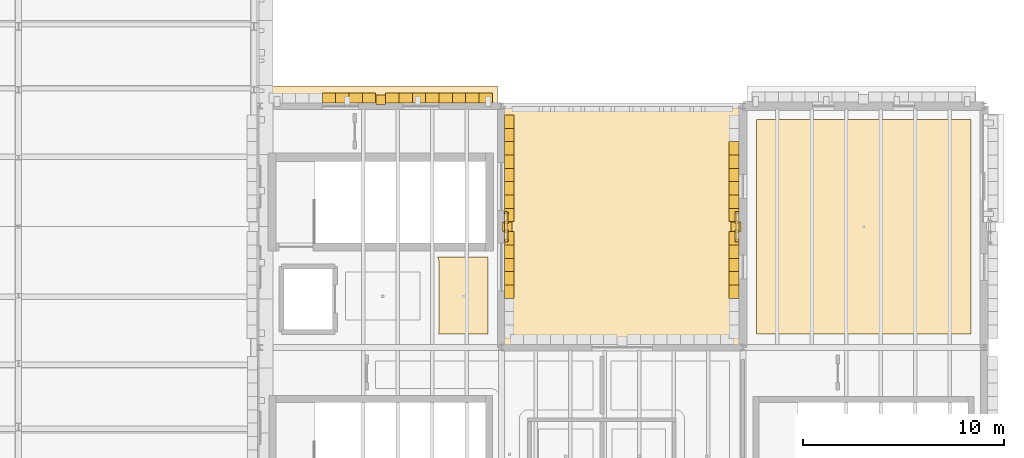
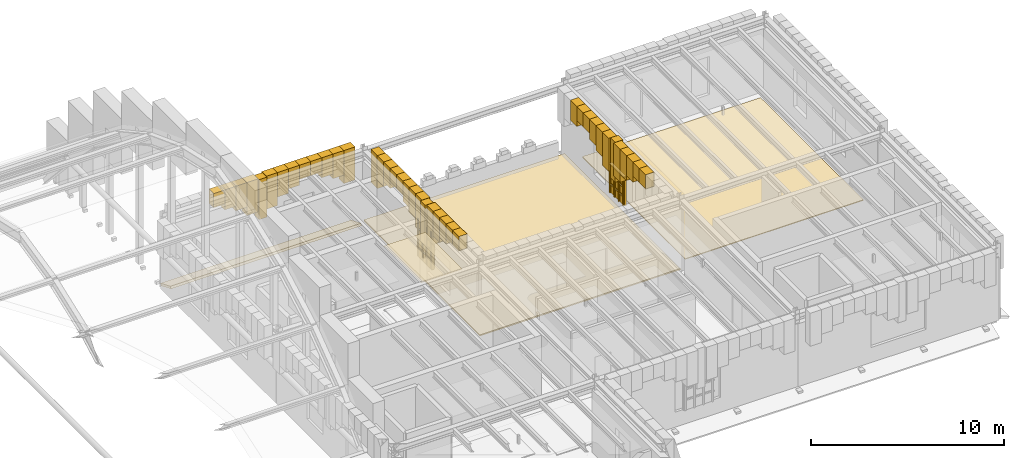
# One storey, part 33 of 35: 57 coverings, 2 shading devices.
"""IFC4 building model written with IfcOpenShell, lengths in metres."""

from ifc_helpers import new_model, si_unit, direction, frame, origin, origin_2d, place, context, subcontext, project, spatial, polyline, rectangle, outline, extrude, material, layer, layer_set, type_object, element, save


model = new_model("IFC4")

# Units and contexts
model_context = context("Model", 3, precision=1e-05, world=origin(), true_north=direction((0.0, 1.0)))
body_context = subcontext(model_context, "Body", "Model", "MODEL_VIEW")
ifc_project = project(units=[si_unit("LENGTHUNIT", "METRE"), si_unit("AREAUNIT", "SQUARE_METRE"), si_unit("VOLUMEUNIT", "CUBIC_METRE"), si_unit("PLANEANGLEUNIT", "RADIAN"), si_unit("MASSUNIT", "GRAM", prefix="KILO")], contexts=[model_context])

# Site, building, storey
site_placement = place(None, origin())
site = spatial("IfcSite", under=ifc_project, at=site_placement, CompositionType="ELEMENT")
building_placement = place(site_placement, origin())
building = spatial("IfcBuilding", under=site, at=building_placement, Name="Zlatogorsky Bluff Art Gallery", CompositionType="ELEMENT")
storey_placement = place(building_placement, frame((0.0, 0.0, 23.39990234375)))
storey = spatial("IfcBuildingStorey", under=building, at=storey_placement, Name="L04", CompositionType="ELEMENT", Elevation=23.39990234375)

# Coverings
ifc_material_1 = material(Name="Perforated Gypsum Acoustic Board", Category="gypsum")
ifc_layer_1 = layer(ifc_material_1, 0.0400390625)
ifc_layer_set_1 = layer_set([ifc_layer_1], Name="Acoustic Gallery Ceiling CLG-01")
covering_type_1 = type_object("IfcCoveringType", Name="Acoustic Gallery Ceiling CLG-01", PredefinedType="CEILING", material=ifc_layer_set_1)
covering_1_placement = place(storey_placement, frame((0.0, 0.0, 4.050048828125)))
element("IfcCovering", 1, at=covering_1_placement, inside=storey, type_object=covering_type_1, Name="Art Reference Library acoustic ceiling", PredefinedType="CEILING", context=body_context, shape_type="SweptSolid", body=[
    extrude(outline(polyline([(131.330078125, 100.489990234375), (131.330078125, 96.669921875), (128.862060546875, 96.669921875), (128.86572265625, 96.677734375), (128.880615234375, 96.719482421875), (128.891357421875, 96.76220703125), (128.897705078125, 96.805908203125), (128.89990234375, 96.85009765625), (128.89990234375, 100.25), (128.897705078125, 100.294189453125), (128.891357421875, 100.337890625), (128.880615234375, 100.380615234375), (128.86572265625, 100.422119140625), (128.846923828125, 100.462158203125), (128.830078125, 100.489990234375), (131.330078125, 100.489990234375)])), origin(), (0.0, 0.0, 1.0), 0.0400390625),
])
ifc_material_2 = material(Name="Honed Red Agra-Tone Quartzitic Sandstone", Category="masonry")
ifc_layer_2 = layer(ifc_material_2, 0.1201171875)
ifc_layer_set_2 = layer_set([ifc_layer_2], Name="Carved Sandstone Cladding CLD-02")
covering_type_2 = type_object("IfcCoveringType", Name="Carved Sandstone Cladding CLD-02", PredefinedType="CLADDING", material=ifc_layer_set_2)
covering_2_placement = place(storey_placement, frame((0.0, 0.0, 2.22998046875)))
element("IfcCovering", 2, at=covering_2_placement, inside=storey, type_object=covering_type_2, Name="Mughal blind-arch sandstone pilaster L04.N.10.9", PredefinedType="CLADDING", context=body_context, shape_type="SweptSolid", body=[
    extrude(outline(polyline([(125.760009765625, 108.06005859375), (126.239990234375, 108.06005859375), (126.239990234375, 108.5400390625), (125.760009765625, 108.5400390625), (125.760009765625, 108.06005859375)])), origin(), (0.0, 0.0, 1.0), 2.530029296875),
])
covering_3_placement = place(storey_placement, frame((0.0, 0.0, 3.865478515625)))
element("IfcCovering", 3, at=covering_3_placement, inside=storey, type_object=covering_type_2, Name="Pointed Mughal arch voussoir spandrel WARCH-L04-N-10-09-A.5", PredefinedType="CLADDING", context=body_context, shape_type="SweptSolid", body=[
    extrude(outline(polyline([(123.10009765625, 108.14990234375), (123.762451171875, 108.14990234375), (123.762451171875, 108.639892578125), (123.10009765625, 108.639892578125), (123.10009765625, 108.14990234375)])), origin(), (0.0, 0.0, 1.0), 0.89453125),
])
covering_4_placement = place(storey_placement, frame((0.0, 0.0, 3.496826171875)))
element("IfcCovering", 4, at=covering_4_placement, inside=storey, type_object=covering_type_2, Name="Pointed Mughal arch voussoir spandrel WARCH-L04-N-10-09-A.6", PredefinedType="CLADDING", context=body_context, shape_type="SweptSolid", body=[
    extrude(outline(polyline([(123.762451171875, 108.14990234375), (124.425048828125, 108.14990234375), (124.425048828125, 108.639892578125), (123.762451171875, 108.639892578125), (123.762451171875, 108.14990234375)])), origin(), (0.0, 0.0, 1.0), 1.26318359375),
])
covering_5_placement = place(storey_placement, frame((0.0, 0.0, 3.203857421875)))
element("IfcCovering", 5, at=covering_5_placement, inside=storey, type_object=covering_type_2, Name="Pointed Mughal arch voussoir spandrel WARCH-L04-N-10-09-A.7", PredefinedType="CLADDING", context=body_context, shape_type="SweptSolid", body=[
    extrude(outline(polyline([(124.425048828125, 108.14990234375), (125.08740234375, 108.14990234375), (125.08740234375, 108.639892578125), (124.425048828125, 108.639892578125), (124.425048828125, 108.14990234375)])), origin(), (0.0, 0.0, 1.0), 1.55615234375),
])
covering_6_placement = place(storey_placement, frame((0.0, 0.0, 2.672607421875)))
element("IfcCovering", 6, at=covering_6_placement, inside=storey, type_object=covering_type_2, Name="Pointed Mughal arch voussoir spandrel WARCH-L04-N-10-09-A.8", PredefinedType="CLADDING", context=body_context, shape_type="SweptSolid", body=[
    extrude(outline(polyline([(125.08740234375, 108.14990234375), (125.75, 108.14990234375), (125.75, 108.639892578125), (125.08740234375, 108.639892578125), (125.08740234375, 108.14990234375)])), origin(), (0.0, 0.0, 1.0), 2.08740234375),
])
covering_7_placement = place(storey_placement, frame((0.0, 0.0, 2.672607421875)))
element("IfcCovering", 7, at=covering_7_placement, inside=storey, type_object=covering_type_2, Name="Pointed Mughal arch voussoir spandrel WARCH-L04-N-10-09-B.1", PredefinedType="CLADDING", context=body_context, shape_type="SweptSolid", body=[
    extrude(outline(polyline([(126.25, 108.14990234375), (126.91259765625, 108.14990234375), (126.91259765625, 108.639892578125), (126.25, 108.639892578125), (126.25, 108.14990234375)])), origin(), (0.0, 0.0, 1.0), 2.08740234375),
])
covering_8_placement = place(storey_placement, frame((0.0, 0.0, 3.203857421875)))
element("IfcCovering", 8, at=covering_8_placement, inside=storey, type_object=covering_type_2, Name="Pointed Mughal arch voussoir spandrel WARCH-L04-N-10-09-B.2", PredefinedType="CLADDING", context=body_context, shape_type="SweptSolid", body=[
    extrude(outline(polyline([(126.91259765625, 108.14990234375), (127.574951171875, 108.14990234375), (127.574951171875, 108.639892578125), (126.91259765625, 108.639892578125), (126.91259765625, 108.14990234375)])), origin(), (0.0, 0.0, 1.0), 1.55615234375),
])
covering_9_placement = place(storey_placement, frame((0.0, 0.0, 3.496826171875)))
element("IfcCovering", 9, at=covering_9_placement, inside=storey, type_object=covering_type_2, Name="Pointed Mughal arch voussoir spandrel WARCH-L04-N-10-09-B.3", PredefinedType="CLADDING", context=body_context, shape_type="SweptSolid", body=[
    extrude(outline(polyline([(127.574951171875, 108.14990234375), (128.237548828125, 108.14990234375), (128.237548828125, 108.639892578125), (127.574951171875, 108.639892578125), (127.574951171875, 108.14990234375)])), origin(), (0.0, 0.0, 1.0), 1.26318359375),
])
covering_10_placement = place(storey_placement, frame((0.0, 0.0, 3.865478515625)))
element("IfcCovering", 10, at=covering_10_placement, inside=storey, type_object=covering_type_2, Name="Pointed Mughal arch voussoir spandrel WARCH-L04-N-10-09-B.4", PredefinedType="CLADDING", context=body_context, shape_type="SweptSolid", body=[
    extrude(outline(polyline([(128.237548828125, 108.14990234375), (128.89990234375, 108.14990234375), (128.89990234375, 108.639892578125), (128.237548828125, 108.639892578125), (128.237548828125, 108.14990234375)])), origin(), (0.0, 0.0, 1.0), 0.89453125),
])
covering_11_placement = place(storey_placement, frame((0.0, 0.0, 3.865478515625)))
element("IfcCovering", 11, at=covering_11_placement, inside=storey, type_object=covering_type_2, Name="Pointed Mughal arch voussoir spandrel WARCH-L04-N-10-09-B.5", PredefinedType="CLADDING", context=body_context, shape_type="SweptSolid", body=[
    extrude(outline(polyline([(128.89990234375, 108.14990234375), (129.5625, 108.14990234375), (129.5625, 108.639892578125), (128.89990234375, 108.639892578125), (128.89990234375, 108.14990234375)])), origin(), (0.0, 0.0, 1.0), 0.89453125),
])
covering_12_placement = place(storey_placement, frame((0.0, 0.0, 3.496826171875)))
element("IfcCovering", 12, at=covering_12_placement, inside=storey, type_object=covering_type_2, Name="Pointed Mughal arch voussoir spandrel WARCH-L04-N-10-09-B.6", PredefinedType="CLADDING", context=body_context, shape_type="SweptSolid", body=[
    extrude(outline(polyline([(129.5625, 108.14990234375), (130.22509765625, 108.14990234375), (130.22509765625, 108.639892578125), (129.5625, 108.639892578125), (129.5625, 108.14990234375)])), origin(), (0.0, 0.0, 1.0), 1.26318359375),
])
covering_13_placement = place(storey_placement, frame((0.0, 0.0, 3.203857421875)))
element("IfcCovering", 13, at=covering_13_placement, inside=storey, type_object=covering_type_2, Name="Pointed Mughal arch voussoir spandrel WARCH-L04-N-10-09-B.7", PredefinedType="CLADDING", context=body_context, shape_type="SweptSolid", body=[
    extrude(outline(polyline([(130.22509765625, 108.14990234375), (130.887451171875, 108.14990234375), (130.887451171875, 108.639892578125), (130.22509765625, 108.639892578125), (130.22509765625, 108.14990234375)])), origin(), (0.0, 0.0, 1.0), 1.55615234375),
])
covering_14_placement = place(storey_placement, frame((0.0, 0.0, 2.672607421875)))
element("IfcCovering", 14, at=covering_14_placement, inside=storey, type_object=covering_type_2, Name="Pointed Mughal arch voussoir spandrel WARCH-L04-N-10-09-B.8", PredefinedType="CLADDING", context=body_context, shape_type="SweptSolid", body=[
    extrude(outline(polyline([(130.887451171875, 108.14990234375), (131.550048828125, 108.14990234375), (131.550048828125, 108.639892578125), (130.887451171875, 108.639892578125), (130.887451171875, 108.14990234375)])), origin(), (0.0, 0.0, 1.0), 2.08740234375),
])
covering_15_placement = place(storey_placement, frame((0.0, 0.0, 2.22998046875)))
element("IfcCovering", 15, at=covering_15_placement, inside=storey, type_object=covering_type_2, Name="Mughal blind-arch sandstone pilaster L04.E.10.9", PredefinedType="CLADDING", context=body_context, shape_type="SweptSolid", body=[
    extrude(outline(polyline([(132.06005859375, 101.760009765625), (132.5400390625, 101.760009765625), (132.5400390625, 102.239990234375), (132.06005859375, 102.239990234375), (132.06005859375, 101.760009765625)])), origin(), (0.0, 0.0, 1.0), 2.530029296875),
])
covering_16_placement = place(storey_placement, frame((0.0, 0.0, 3.865478515625)))
element("IfcCovering", 16, at=covering_16_placement, inside=storey, type_object=covering_type_2, Name="Pointed Mughal arch voussoir spandrel WARCH-L04-E-10-09-A.4", PredefinedType="CLADDING", context=body_context, shape_type="SweptSolid", body=[
    extrude(outline(polyline([(132.14990234375, 98.4375), (132.14990234375, 99.10009765625), (132.639892578125, 99.10009765625), (132.639892578125, 98.4375), (132.14990234375, 98.4375)])), origin(), (0.0, 0.0, 1.0), 0.89453125),
])
covering_17_placement = place(storey_placement, frame((0.0, 0.0, 3.865478515625)))
element("IfcCovering", 17, at=covering_17_placement, inside=storey, type_object=covering_type_2, Name="Pointed Mughal arch voussoir spandrel WARCH-L04-E-10-09-A.5", PredefinedType="CLADDING", context=body_context, shape_type="SweptSolid", body=[
    extrude(outline(polyline([(132.14990234375, 99.10009765625), (132.14990234375, 99.762451171875), (132.639892578125, 99.762451171875), (132.639892578125, 99.10009765625), (132.14990234375, 99.10009765625)])), origin(), (0.0, 0.0, 1.0), 0.89453125),
])
covering_18_placement = place(storey_placement, frame((0.0, 0.0, 3.496826171875)))
element("IfcCovering", 18, at=covering_18_placement, inside=storey, type_object=covering_type_2, Name="Pointed Mughal arch voussoir spandrel WARCH-L04-E-10-09-A.6", PredefinedType="CLADDING", context=body_context, shape_type="SweptSolid", body=[
    extrude(outline(polyline([(132.14990234375, 99.762451171875), (132.14990234375, 100.425048828125), (132.639892578125, 100.425048828125), (132.639892578125, 99.762451171875), (132.14990234375, 99.762451171875)])), origin(), (0.0, 0.0, 1.0), 1.26318359375),
])
covering_19_placement = place(storey_placement, frame((0.0, 0.0, 3.203857421875)))
element("IfcCovering", 19, at=covering_19_placement, inside=storey, type_object=covering_type_2, Name="Pointed Mughal arch voussoir spandrel WARCH-L04-E-10-09-A.7", PredefinedType="CLADDING", context=body_context, shape_type="SweptSolid", body=[
    extrude(outline(polyline([(132.14990234375, 100.425048828125), (132.14990234375, 101.08740234375), (132.639892578125, 101.08740234375), (132.639892578125, 100.425048828125), (132.14990234375, 100.425048828125)])), origin(), (0.0, 0.0, 1.0), 1.55615234375),
])
covering_20_placement = place(storey_placement, frame((0.0, 0.0, 2.672607421875)))
element("IfcCovering", 20, at=covering_20_placement, inside=storey, type_object=covering_type_2, Name="Pointed Mughal arch voussoir spandrel WARCH-L04-E-10-09-A.8", PredefinedType="CLADDING", context=body_context, shape_type="SweptSolid", body=[
    extrude(outline(polyline([(132.14990234375, 101.08740234375), (132.14990234375, 101.75), (132.639892578125, 101.75), (132.639892578125, 101.08740234375), (132.14990234375, 101.08740234375)])), origin(), (0.0, 0.0, 1.0), 2.08740234375),
])
covering_21_placement = place(storey_placement, frame((0.0, 0.0, 2.672607421875)))
element("IfcCovering", 21, at=covering_21_placement, inside=storey, type_object=covering_type_2, Name="Pointed Mughal arch voussoir spandrel WARCH-L04-E-10-09-B.1", PredefinedType="CLADDING", context=body_context, shape_type="SweptSolid", body=[
    extrude(outline(polyline([(132.14990234375, 102.25), (132.14990234375, 102.91259765625), (132.639892578125, 102.91259765625), (132.639892578125, 102.25), (132.14990234375, 102.25)])), origin(), (0.0, 0.0, 1.0), 2.08740234375),
])
covering_22_placement = place(storey_placement, frame((0.0, 0.0, 3.203857421875)))
element("IfcCovering", 22, at=covering_22_placement, inside=storey, type_object=covering_type_2, Name="Pointed Mughal arch voussoir spandrel WARCH-L04-E-10-09-B.2", PredefinedType="CLADDING", context=body_context, shape_type="SweptSolid", body=[
    extrude(outline(polyline([(132.14990234375, 102.91259765625), (132.14990234375, 103.574951171875), (132.639892578125, 103.574951171875), (132.639892578125, 102.91259765625), (132.14990234375, 102.91259765625)])), origin(), (0.0, 0.0, 1.0), 1.55615234375),
])
covering_23_placement = place(storey_placement, frame((0.0, 0.0, 3.496826171875)))
element("IfcCovering", 23, at=covering_23_placement, inside=storey, type_object=covering_type_2, Name="Pointed Mughal arch voussoir spandrel WARCH-L04-E-10-09-B.3", PredefinedType="CLADDING", context=body_context, shape_type="SweptSolid", body=[
    extrude(outline(polyline([(132.14990234375, 103.574951171875), (132.14990234375, 104.237548828125), (132.639892578125, 104.237548828125), (132.639892578125, 103.574951171875), (132.14990234375, 103.574951171875)])), origin(), (0.0, 0.0, 1.0), 1.26318359375),
])
covering_24_placement = place(storey_placement, frame((0.0, 0.0, 3.865478515625)))
element("IfcCovering", 24, at=covering_24_placement, inside=storey, type_object=covering_type_2, Name="Pointed Mughal arch voussoir spandrel WARCH-L04-E-10-09-B.4", PredefinedType="CLADDING", context=body_context, shape_type="SweptSolid", body=[
    extrude(outline(polyline([(132.14990234375, 104.237548828125), (132.14990234375, 104.89990234375), (132.639892578125, 104.89990234375), (132.639892578125, 104.237548828125), (132.14990234375, 104.237548828125)])), origin(), (0.0, 0.0, 1.0), 0.89453125),
])
covering_25_placement = place(storey_placement, frame((0.0, 0.0, 3.865478515625)))
element("IfcCovering", 25, at=covering_25_placement, inside=storey, type_object=covering_type_2, Name="Pointed Mughal arch voussoir spandrel WARCH-L04-E-10-09-B.5", PredefinedType="CLADDING", context=body_context, shape_type="SweptSolid", body=[
    extrude(outline(polyline([(132.14990234375, 104.89990234375), (132.14990234375, 105.5625), (132.639892578125, 105.5625), (132.639892578125, 104.89990234375), (132.14990234375, 104.89990234375)])), origin(), (0.0, 0.0, 1.0), 0.89453125),
])
covering_26_placement = place(storey_placement, frame((0.0, 0.0, 3.496826171875)))
element("IfcCovering", 26, at=covering_26_placement, inside=storey, type_object=covering_type_2, Name="Pointed Mughal arch voussoir spandrel WARCH-L04-E-10-09-B.6", PredefinedType="CLADDING", context=body_context, shape_type="SweptSolid", body=[
    extrude(outline(polyline([(132.14990234375, 105.5625), (132.14990234375, 106.22509765625), (132.639892578125, 106.22509765625), (132.639892578125, 105.5625), (132.14990234375, 105.5625)])), origin(), (0.0, 0.0, 1.0), 1.26318359375),
])
covering_27_placement = place(storey_placement, frame((0.0, 0.0, 3.203857421875)))
element("IfcCovering", 27, at=covering_27_placement, inside=storey, type_object=covering_type_2, Name="Pointed Mughal arch voussoir spandrel WARCH-L04-E-10-09-B.7", PredefinedType="CLADDING", context=body_context, shape_type="SweptSolid", body=[
    extrude(outline(polyline([(132.14990234375, 106.22509765625), (132.14990234375, 106.887451171875), (132.639892578125, 106.887451171875), (132.639892578125, 106.22509765625), (132.14990234375, 106.22509765625)])), origin(), (0.0, 0.0, 1.0), 1.55615234375),
])
covering_28_placement = place(storey_placement, frame((0.0, 0.0, 2.672607421875)))
element("IfcCovering", 28, at=covering_28_placement, inside=storey, type_object=covering_type_2, Name="Pointed Mughal arch voussoir spandrel WARCH-L04-E-10-09-B.8", PredefinedType="CLADDING", context=body_context, shape_type="SweptSolid", body=[
    extrude(outline(polyline([(132.14990234375, 106.887451171875), (132.14990234375, 107.550048828125), (132.639892578125, 107.550048828125), (132.639892578125, 106.887451171875), (132.14990234375, 106.887451171875)])), origin(), (0.0, 0.0, 1.0), 2.08740234375),
])
covering_29_placement = place(storey_placement, frame((0.0, 0.0, 0.9501953125)))
element("IfcCovering", 29, at=covering_29_placement, inside=storey, type_object=covering_type_2, Name="Pierced sandstone jali lattice bar L04.E.10.9", PredefinedType="CLADDING", context=body_context, shape_type="SweptSolid", body=[
    extrude(outline(polyline([(132.14990234375, 101.280029296875), (132.14990234375, 101.3701171875), (132.340087890625, 101.3701171875), (132.340087890625, 101.280029296875), (132.14990234375, 101.280029296875)])), origin(), (0.0, 0.0, 1.0), 2.39990234375),
])
covering_30_placement = place(storey_placement, frame((0.0, 0.0, 0.9501953125)))
element("IfcCovering", 30, at=covering_30_placement, inside=storey, type_object=covering_type_2, Name="Pierced sandstone jali lattice bar L04.E.10.9", PredefinedType="CLADDING", context=body_context, shape_type="SweptSolid", body=[
    extrude(outline(polyline([(132.14990234375, 101.72998046875), (132.14990234375, 101.820068359375), (132.340087890625, 101.820068359375), (132.340087890625, 101.72998046875), (132.14990234375, 101.72998046875)])), origin(), (0.0, 0.0, 1.0), 2.39990234375),
])
covering_31_placement = place(storey_placement, frame((0.0, 0.0, 0.9501953125)))
element("IfcCovering", 31, at=covering_31_placement, inside=storey, type_object=covering_type_2, Name="Pierced sandstone jali lattice bar L04.E.10.9", PredefinedType="CLADDING", context=body_context, shape_type="SweptSolid", body=[
    extrude(outline(polyline([(132.14990234375, 102.179931640625), (132.14990234375, 102.27001953125), (132.340087890625, 102.27001953125), (132.340087890625, 102.179931640625), (132.14990234375, 102.179931640625)])), origin(), (0.0, 0.0, 1.0), 2.39990234375),
])
covering_32_placement = place(storey_placement, frame((0.0, 0.0, 0.9501953125)))
element("IfcCovering", 32, at=covering_32_placement, inside=storey, type_object=covering_type_2, Name="Pierced sandstone jali lattice bar L04.E.10.9", PredefinedType="CLADDING", context=body_context, shape_type="SweptSolid", body=[
    extrude(outline(polyline([(132.14990234375, 102.6298828125), (132.14990234375, 102.719970703125), (132.340087890625, 102.719970703125), (132.340087890625, 102.6298828125), (132.14990234375, 102.6298828125)])), origin(), (0.0, 0.0, 1.0), 2.39990234375),
])
for number, where, name in (
    (33, (0.0, 0.0, 1.510009765625), "Pierced sandstone jali lattice transom L04.E.10.9"),
    (34, (0.0, 0.0, 2.110107421875), "Pierced sandstone jali lattice transom L04.E.10.9"),
):
    element("IfcCovering", number, at=place(storey_placement, frame(where)), inside=storey, type_object=covering_type_2, Name=name, PredefinedType="CLADDING", context=body_context, shape_type="SweptSolid", body=[
        extrude(outline(polyline([(132.14990234375, 101.25), (132.14990234375, 102.75), (132.340087890625, 102.75), (132.340087890625, 101.25), (132.14990234375, 101.25)])), origin(), (0.0, 0.0, 1.0), 0.080078125),
    ])
covering_33_placement = place(storey_placement, frame((0.0, 0.0, 2.710205078125)))
element("IfcCovering", 35, at=covering_33_placement, inside=storey, type_object=covering_type_2, Name="Pierced sandstone jali lattice transom L04.E.10.9", PredefinedType="CLADDING", context=body_context, shape_type="SweptSolid", body=[
    extrude(outline(polyline([(132.14990234375, 101.25), (132.14990234375, 102.75), (132.340087890625, 102.75), (132.340087890625, 101.25), (132.14990234375, 101.25)])), origin(), (0.0, 0.0, 1.0), 0.079833984375),
])
covering_34_placement = place(storey_placement, frame((0.0, 0.0, 2.22998046875)))
element("IfcCovering", 36, at=covering_34_placement, inside=storey, type_object=covering_type_2, Name="Mughal blind-arch sandstone pilaster L04.W.12.9", PredefinedType="CLADDING", context=body_context, shape_type="SweptSolid", body=[
    extrude(outline(polyline([(143.419921875, 101.760009765625), (143.89990234375, 101.760009765625), (143.89990234375, 102.239990234375), (143.419921875, 102.239990234375), (143.419921875, 101.760009765625)])), origin(), (0.0, 0.0, 1.0), 2.530029296875),
])
covering_35_placement = place(storey_placement, frame((0.0, 0.0, 3.865478515625)))
element("IfcCovering", 37, at=covering_35_placement, inside=storey, type_object=covering_type_2, Name="Pointed Mughal arch voussoir spandrel WARCH-L04-W-12-09-A.4", PredefinedType="CLADDING", context=body_context, shape_type="SweptSolid", body=[
    extrude(outline(polyline([(143.320068359375, 98.4375), (143.320068359375, 99.10009765625), (143.81005859375, 99.10009765625), (143.81005859375, 98.4375), (143.320068359375, 98.4375)])), origin(), (0.0, 0.0, 1.0), 0.89453125),
])
covering_36_placement = place(storey_placement, frame((0.0, 0.0, 3.865478515625)))
element("IfcCovering", 38, at=covering_36_placement, inside=storey, type_object=covering_type_2, Name="Pointed Mughal arch voussoir spandrel WARCH-L04-W-12-09-A.5", PredefinedType="CLADDING", context=body_context, shape_type="SweptSolid", body=[
    extrude(outline(polyline([(143.320068359375, 99.10009765625), (143.320068359375, 99.762451171875), (143.81005859375, 99.762451171875), (143.81005859375, 99.10009765625), (143.320068359375, 99.10009765625)])), origin(), (0.0, 0.0, 1.0), 0.89453125),
])
covering_37_placement = place(storey_placement, frame((0.0, 0.0, 3.496826171875)))
element("IfcCovering", 39, at=covering_37_placement, inside=storey, type_object=covering_type_2, Name="Pointed Mughal arch voussoir spandrel WARCH-L04-W-12-09-A.6", PredefinedType="CLADDING", context=body_context, shape_type="SweptSolid", body=[
    extrude(outline(polyline([(143.320068359375, 99.762451171875), (143.320068359375, 100.425048828125), (143.81005859375, 100.425048828125), (143.81005859375, 99.762451171875), (143.320068359375, 99.762451171875)])), origin(), (0.0, 0.0, 1.0), 1.26318359375),
])
covering_38_placement = place(storey_placement, frame((0.0, 0.0, 3.203857421875)))
element("IfcCovering", 40, at=covering_38_placement, inside=storey, type_object=covering_type_2, Name="Pointed Mughal arch voussoir spandrel WARCH-L04-W-12-09-A.7", PredefinedType="CLADDING", context=body_context, shape_type="SweptSolid", body=[
    extrude(outline(polyline([(143.320068359375, 100.425048828125), (143.320068359375, 101.08740234375), (143.81005859375, 101.08740234375), (143.81005859375, 100.425048828125), (143.320068359375, 100.425048828125)])), origin(), (0.0, 0.0, 1.0), 1.55615234375),
])
covering_39_placement = place(storey_placement, frame((0.0, 0.0, 2.672607421875)))
element("IfcCovering", 41, at=covering_39_placement, inside=storey, type_object=covering_type_2, Name="Pointed Mughal arch voussoir spandrel WARCH-L04-W-12-09-A.8", PredefinedType="CLADDING", context=body_context, shape_type="SweptSolid", body=[
    extrude(outline(polyline([(143.320068359375, 101.08740234375), (143.320068359375, 101.75), (143.81005859375, 101.75), (143.81005859375, 101.08740234375), (143.320068359375, 101.08740234375)])), origin(), (0.0, 0.0, 1.0), 2.08740234375),
])
covering_40_placement = place(storey_placement, frame((0.0, 0.0, 2.672607421875)))
element("IfcCovering", 42, at=covering_40_placement, inside=storey, type_object=covering_type_2, Name="Pointed Mughal arch voussoir spandrel WARCH-L04-W-12-09-B.1", PredefinedType="CLADDING", context=body_context, shape_type="SweptSolid", body=[
    extrude(outline(polyline([(143.320068359375, 102.25), (143.320068359375, 102.91259765625), (143.81005859375, 102.91259765625), (143.81005859375, 102.25), (143.320068359375, 102.25)])), origin(), (0.0, 0.0, 1.0), 2.08740234375),
])
covering_41_placement = place(storey_placement, frame((0.0, 0.0, 3.203857421875)))
element("IfcCovering", 43, at=covering_41_placement, inside=storey, type_object=covering_type_2, Name="Pointed Mughal arch voussoir spandrel WARCH-L04-W-12-09-B.2", PredefinedType="CLADDING", context=body_context, shape_type="SweptSolid", body=[
    extrude(outline(polyline([(143.320068359375, 102.91259765625), (143.320068359375, 103.574951171875), (143.81005859375, 103.574951171875), (143.81005859375, 102.91259765625), (143.320068359375, 102.91259765625)])), origin(), (0.0, 0.0, 1.0), 1.55615234375),
])
covering_42_placement = place(storey_placement, frame((0.0, 0.0, 3.496826171875)))
element("IfcCovering", 44, at=covering_42_placement, inside=storey, type_object=covering_type_2, Name="Pointed Mughal arch voussoir spandrel WARCH-L04-W-12-09-B.3", PredefinedType="CLADDING", context=body_context, shape_type="SweptSolid", body=[
    extrude(outline(polyline([(143.320068359375, 103.574951171875), (143.320068359375, 104.237548828125), (143.81005859375, 104.237548828125), (143.81005859375, 103.574951171875), (143.320068359375, 103.574951171875)])), origin(), (0.0, 0.0, 1.0), 1.26318359375),
])
covering_43_placement = place(storey_placement, frame((0.0, 0.0, 3.865478515625)))
element("IfcCovering", 45, at=covering_43_placement, inside=storey, type_object=covering_type_2, Name="Pointed Mughal arch voussoir spandrel WARCH-L04-W-12-09-B.4", PredefinedType="CLADDING", context=body_context, shape_type="SweptSolid", body=[
    extrude(outline(polyline([(143.320068359375, 104.237548828125), (143.320068359375, 104.89990234375), (143.81005859375, 104.89990234375), (143.81005859375, 104.237548828125), (143.320068359375, 104.237548828125)])), origin(), (0.0, 0.0, 1.0), 0.89453125),
])
covering_44_placement = place(storey_placement, frame((0.0, 0.0, 3.865478515625)))
element("IfcCovering", 46, at=covering_44_placement, inside=storey, type_object=covering_type_2, Name="Pointed Mughal arch voussoir spandrel WARCH-L04-W-12-09-B.5", PredefinedType="CLADDING", context=body_context, shape_type="SweptSolid", body=[
    extrude(outline(polyline([(143.320068359375, 104.89990234375), (143.320068359375, 105.5625), (143.81005859375, 105.5625), (143.81005859375, 104.89990234375), (143.320068359375, 104.89990234375)])), origin(), (0.0, 0.0, 1.0), 0.89453125),
])
covering_45_placement = place(storey_placement, frame((0.0, 0.0, 3.496826171875)))
element("IfcCovering", 47, at=covering_45_placement, inside=storey, type_object=covering_type_2, Name="Pointed Mughal arch voussoir spandrel WARCH-L04-W-12-09-B.6", PredefinedType="CLADDING", context=body_context, shape_type="SweptSolid", body=[
    extrude(outline(polyline([(143.320068359375, 105.5625), (143.320068359375, 106.22509765625), (143.81005859375, 106.22509765625), (143.81005859375, 105.5625), (143.320068359375, 105.5625)])), origin(), (0.0, 0.0, 1.0), 1.26318359375),
])
covering_46_placement = place(storey_placement, frame((0.0, 0.0, 0.9501953125)))
element("IfcCovering", 48, at=covering_46_placement, inside=storey, type_object=covering_type_2, Name="Pierced sandstone jali lattice bar L04.W.12.9", PredefinedType="CLADDING", context=body_context, shape_type="SweptSolid", body=[
    extrude(outline(polyline([(143.6201171875, 101.280029296875), (143.6201171875, 101.3701171875), (143.81005859375, 101.3701171875), (143.81005859375, 101.280029296875), (143.6201171875, 101.280029296875)])), origin(), (0.0, 0.0, 1.0), 2.39990234375),
])
covering_47_placement = place(storey_placement, frame((0.0, 0.0, 0.9501953125)))
element("IfcCovering", 49, at=covering_47_placement, inside=storey, type_object=covering_type_2, Name="Pierced sandstone jali lattice bar L04.W.12.9", PredefinedType="CLADDING", context=body_context, shape_type="SweptSolid", body=[
    extrude(outline(polyline([(143.6201171875, 101.72998046875), (143.6201171875, 101.820068359375), (143.81005859375, 101.820068359375), (143.81005859375, 101.72998046875), (143.6201171875, 101.72998046875)])), origin(), (0.0, 0.0, 1.0), 2.39990234375),
])
covering_48_placement = place(storey_placement, frame((0.0, 0.0, 0.9501953125)))
element("IfcCovering", 50, at=covering_48_placement, inside=storey, type_object=covering_type_2, Name="Pierced sandstone jali lattice bar L04.W.12.9", PredefinedType="CLADDING", context=body_context, shape_type="SweptSolid", body=[
    extrude(outline(polyline([(143.6201171875, 102.179931640625), (143.6201171875, 102.27001953125), (143.81005859375, 102.27001953125), (143.81005859375, 102.179931640625), (143.6201171875, 102.179931640625)])), origin(), (0.0, 0.0, 1.0), 2.39990234375),
])
covering_49_placement = place(storey_placement, frame((0.0, 0.0, 0.9501953125)))
element("IfcCovering", 51, at=covering_49_placement, inside=storey, type_object=covering_type_2, Name="Pierced sandstone jali lattice bar L04.W.12.9", PredefinedType="CLADDING", context=body_context, shape_type="SweptSolid", body=[
    extrude(outline(polyline([(143.6201171875, 102.6298828125), (143.6201171875, 102.719970703125), (143.81005859375, 102.719970703125), (143.81005859375, 102.6298828125), (143.6201171875, 102.6298828125)])), origin(), (0.0, 0.0, 1.0), 2.39990234375),
])
for number, where, name in (
    (52, (0.0, 0.0, 1.510009765625), "Pierced sandstone jali lattice transom L04.W.12.9"),
    (53, (0.0, 0.0, 2.110107421875), "Pierced sandstone jali lattice transom L04.W.12.9"),
):
    element("IfcCovering", number, at=place(storey_placement, frame(where)), inside=storey, type_object=covering_type_2, Name=name, PredefinedType="CLADDING", context=body_context, shape_type="SweptSolid", body=[
        extrude(outline(polyline([(143.6201171875, 101.25), (143.6201171875, 102.75), (143.81005859375, 102.75), (143.81005859375, 101.25), (143.6201171875, 101.25)])), origin(), (0.0, 0.0, 1.0), 0.080078125),
    ])
covering_50_placement = place(storey_placement, frame((0.0, 0.0, 2.710205078125)))
element("IfcCovering", 54, at=covering_50_placement, inside=storey, type_object=covering_type_2, Name="Pierced sandstone jali lattice transom L04.W.12.9", PredefinedType="CLADDING", context=body_context, shape_type="SweptSolid", body=[
    extrude(outline(polyline([(143.6201171875, 101.25), (143.6201171875, 102.75), (143.81005859375, 102.75), (143.81005859375, 101.25), (143.6201171875, 101.25)])), origin(), (0.0, 0.0, 1.0), 0.079833984375),
])
covering_51_placement = place(storey_placement, frame((120.39990234375, 107.9599609375, -0.039794921875), z_axis=(0.0, 0.380872241927, 0.924627673893), x_axis=(1.0, 0.0, 0.0)))
element("IfcCovering", 55, at=covering_51_placement, inside=storey, type_object=covering_type_2, Name="Projecting sloped Mughal chhajja stone eave CHJ-NE-N-L04A", PredefinedType="CLADDING", context=body_context, shape_type="SweptSolid", body=[
    extrude(outline(polyline([(0.0, 0.0), (11.400146484375, 0.0), (11.400146484375, 1.1031678588581422), (0.0, 1.1031678588581422), (0.0, 0.0)])), origin(), (0.0, 0.0, -1.0), 0.139892578125),
])
ifc_material_3 = material(Name="EPDM and Red-Sandstone Ballast Roofing", Category="masonry")
ifc_layer_3 = layer(ifc_material_3, 0.080078125)
ifc_layer_set_3 = layer_set([ifc_layer_3], Name="Insulated Roof Membrane RFM-01")
covering_type_3 = type_object("IfcCoveringType", Name="Insulated Roof Membrane RFM-01", PredefinedType="ROOFING", material=ifc_layer_set_3)
covering_52_placement = place(storey_placement, origin())
element("IfcCovering", 56, at=covering_52_placement, inside=storey, type_object=covering_type_3, Name="Roof membrane ROOF-FLAT-L04-01", PredefinedType="ROOFING", context=body_context, shape_type="SweptSolid", body=[
    extrude(outline(polyline([(144.0, 96.0), (144.0, 108.0), (132.0, 108.0), (132.0, 96.0), (144.0, 96.0)])), origin(), (0.0, 0.0, 1.0), 0.080078125),
])

# Shading devices
ifc_material_4 = material(Name="CNC-Pierced Red Quartzitic Sandstone Jali", Category="masonry")
shading_device_type = type_object("IfcShadingDeviceType", Name="Pierced Stone Jali Screen JAL-01", PredefinedType="JALOUSIE", material=ifc_material_4)
for number, where, z_axis, x_axis, name in (
    (57, (132.219970703125, 102.0, 0.9501953125), (0.0, 0.0, 1.0), (1.0, 0.0, 0.0), "Pierced stone jali screen JAL-01"),
    (58, (143.739990234375, 102.0, 0.9501953125), (0.0, 0.0, 1.0), (1.0, 0.0, 0.0), "Pierced stone jali screen JAL-01"),
):
    element("IfcShadingDevice", number, at=place(storey_placement, frame(where, z_axis=z_axis, x_axis=x_axis)), inside=storey, type_object=shading_device_type, Name=name, PredefinedType="JALOUSIE", context=body_context, shape_type="SweptSolid", body=[
        extrude(rectangle(XDim=0.1201171875, YDim=1.5, at=origin_2d()), origin(), (0.0, 0.0, 1.0), 2.39990234375),
    ])

# Covering
ifc_material_5 = material(Name="Polished Ural Marble Terrazzo", Category="masonry")
ifc_layer_4 = layer(ifc_material_5, 0.050048828125)
ifc_layer_set_4 = layer_set([ifc_layer_4], Name="Terrazzo Gallery Flooring FLR-01")
covering_type_4 = type_object("IfcCoveringType", Name="Terrazzo Gallery Flooring FLR-01", PredefinedType="FLOORING", material=ifc_layer_set_4)
covering_53_placement = place(storey_placement, origin())
element("IfcCovering", 59, at=covering_53_placement, inside=storey, type_object=covering_type_4, Name="Art Reference Library terrazzo floor finish", PredefinedType="FLOORING", context=body_context, shape_type="SweptSolid", body=[
    extrude(outline(polyline([(155.330078125, 107.330078125), (155.330078125, 96.669921875), (144.669921875, 96.669921875), (144.669921875, 107.330078125), (155.330078125, 107.330078125)])), origin(), (0.0, 0.0, 1.0), 0.050048828125),
])

save(model, "model.ifc")
